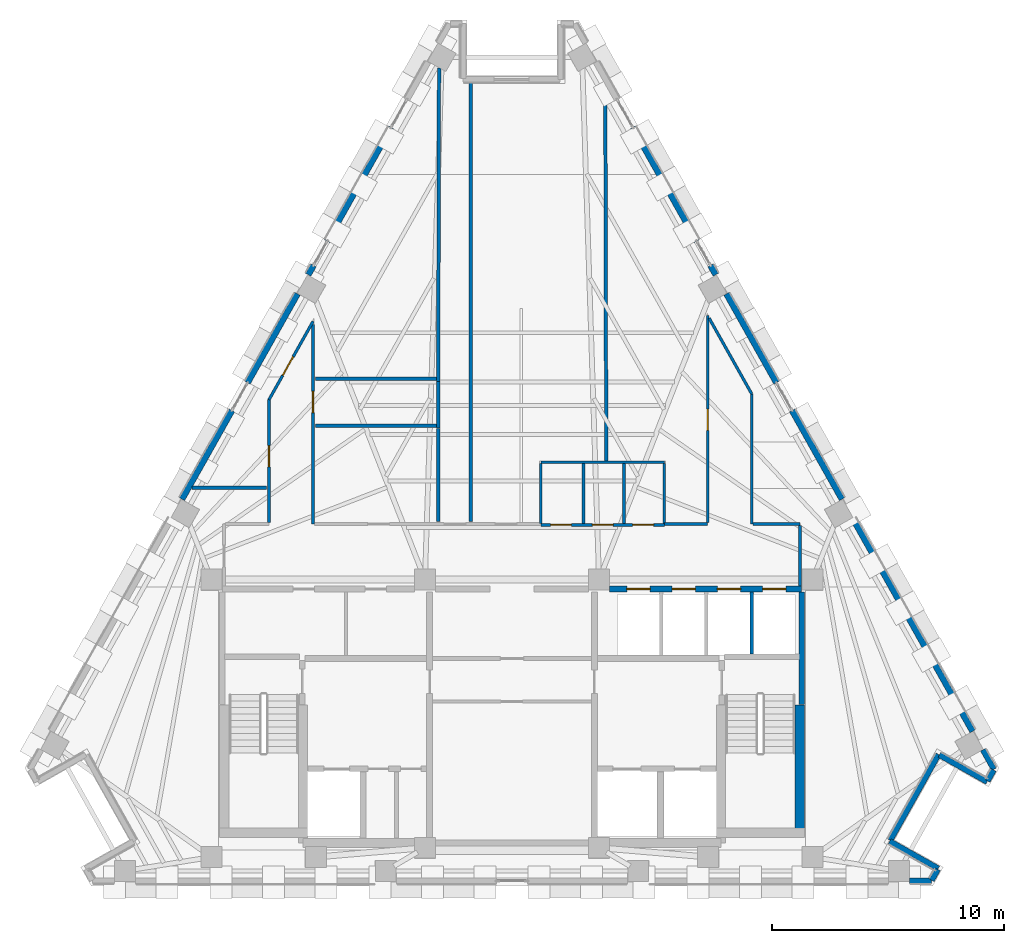
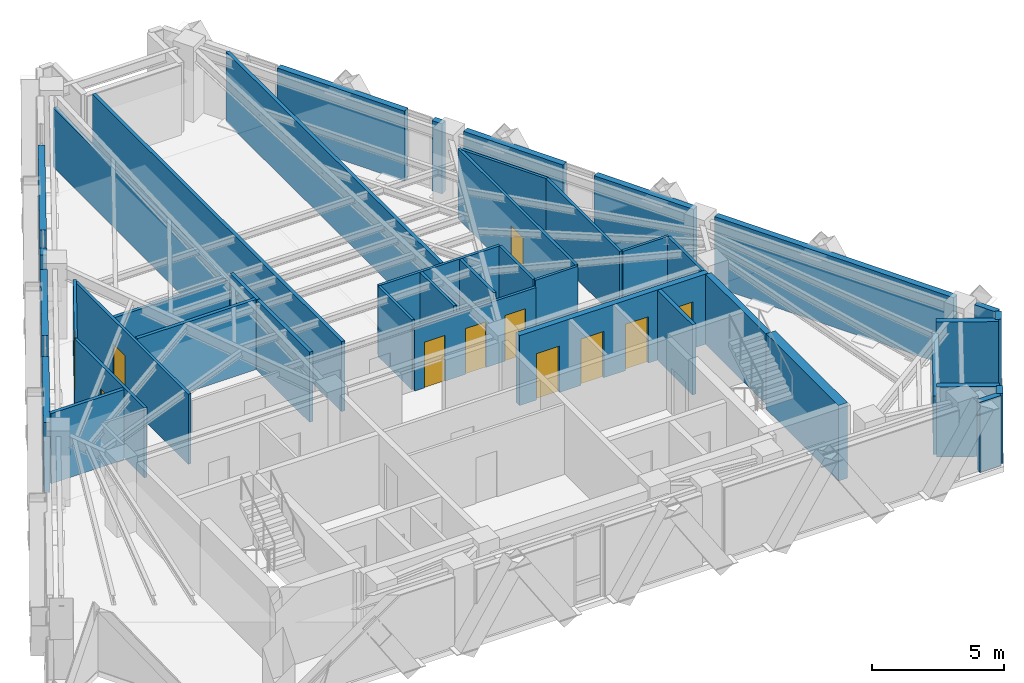
# One storey, part 8 of 12: 43 walls, 11 doors, 11 openings.
"""IFC4 building model written with IfcOpenShell, lengths in metres."""

from ifc_helpers import new_model, si_unit, direction, frame, frame_2d, origin, place, context, subcontext, project, spatial, rectangle, extrude, material, layer, layer_set, type_object, element, fill, save


model = new_model("IFC4")

# Units and contexts
model_context = context("Model", 3, precision=1e-05, world=origin(), true_north=direction((0.0, 1.0)))
body_context = subcontext(model_context, "Body", "Model", "MODEL_VIEW")
ifc_project = project(units=[si_unit("LENGTHUNIT", "METRE"), si_unit("AREAUNIT", "SQUARE_METRE"), si_unit("VOLUMEUNIT", "CUBIC_METRE"), si_unit("PLANEANGLEUNIT", "RADIAN"), si_unit("MASSUNIT", "GRAM", prefix="KILO")], contexts=[model_context])

# Site, building, storey
site_placement = place(None, origin())
site = spatial("IfcSite", under=ifc_project, at=site_placement, CompositionType="ELEMENT")
building_placement = place(site_placement, origin())
building = spatial("IfcBuilding", under=site, at=building_placement, Name="Quenlor Broadcast Tower", CompositionType="ELEMENT")
storey_placement = place(building_placement, frame((0.0, 0.0, 218.39990234375)))
storey = spatial("IfcBuildingStorey", under=building, at=storey_placement, Name="L60", CompositionType="ELEMENT", Elevation=218.39990234375)

# Walls
ifc_material_1 = material(Name="Acoustic Double Stud Gypsum Partition", Category="other")
ifc_layer_1 = layer(ifc_material_1, 0.14990234375)
ifc_layer_set_1 = layer_set([ifc_layer_1], Name="Broadcast Studio Acoustic Partition 150")
wall_type_1 = type_object("IfcWallType", Name="Broadcast Studio Acoustic Partition 150", PredefinedType="PARTITIONING", material=ifc_layer_set_1)
wall_1_placement = place(storey_placement, frame((-3.142822265625, 17.25439453125, 0.0), z_axis=(0.0, 0.0, 1.0), x_axis=(-0.002783390028, -0.999996126362, 0.0)))
element("IfcWall", 1, at=wall_1_placement, inside=storey, type_object=wall_type_1, Name="L60 Interior Wall PW-DV-01", PredefinedType="PARTITIONING", context=body_context, shape_type="SweptSolid", body=[
    extrude(rectangle(XDim=13.5078125, YDim=0.14990234375, at=frame_2d((6.75390625, 0.0))), origin(), (0.0, 0.0, 1.0), 2.721923828125),
])
wall_2_placement = place(storey_placement, frame((-3.257080078125, 3.846435546875, 0.0), z_axis=(0.0, 0.0, 1.0), x_axis=(-1.0, 0.0, 0.0)))
element("IfcWall", 2, at=wall_2_placement, inside=storey, type_object=wall_type_1, Name="L60 Interior Wall PW-DV-02", PredefinedType="PARTITIONING", context=body_context, shape_type="SweptSolid", body=[
    extrude(rectangle(XDim=5.202880859375, YDim=0.14990234375, at=frame_2d((2.6015625, 0.0))), origin(), (0.0, 0.0, 1.0), 2.94287109375),
])
wall_3_placement = place(storey_placement, frame((-1.777099609375, -2.2900390625, 0.0), z_axis=(0.0, 0.0, 1.0), x_axis=(0.0, 1.0, 0.0)))
element("IfcWall", 3, at=wall_3_placement, inside=storey, type_object=wall_type_1, Name="L60 Interior Wall PW-DV-03", PredefinedType="PARTITIONING", context=body_context, shape_type="SweptSolid", body=[
    extrude(rectangle(XDim=18.919921875, YDim=0.14990234375, at=frame_2d((9.4599609375, 0.0))), origin(), (0.0, 0.0, 1.0), 3.25),
])
wall_4_placement = place(storey_placement, frame((4.0205078125, 16.524169921875, 0.0), z_axis=(0.0, 0.0, 1.0), x_axis=(0.002426006965, -0.999997057241, 0.0)))
element("IfcWall", 4, at=wall_4_placement, inside=storey, type_object=wall_type_1, Name="L60 Interior Wall PW-DV-04", PredefinedType="PARTITIONING", context=body_context, shape_type="SweptSolid", body=[
    extrude(rectangle(XDim=16.2021484375, YDim=0.14990234375, at=frame_2d((8.10107421875, 0.0))), origin(), (0.0, 0.0, 1.0), 3.25),
])
wall_5_placement = place(storey_placement, frame((-3.179931640625, 1.72412109375, 0.0), z_axis=(0.0, 0.0, 1.0), x_axis=(0.0, 1.0, 0.0)))
element("IfcWall", 5, at=wall_5_placement, inside=storey, type_object=wall_type_1, Name="L60 Interior Wall PW-DV-05", PredefinedType="PARTITIONING", context=body_context, shape_type="SweptSolid", body=[
    extrude(rectangle(XDim=2.020263671875, YDim=0.14990234375, at=frame_2d((1.01025390625, 0.0))), origin(), (0.0, 0.0, 1.0), 3.25),
])
wall_6_placement = place(storey_placement, frame((-3.179931640625, -2.2900390625, 0.0), z_axis=(0.0, 0.0, 1.0), x_axis=(0.0, 1.0, 0.0)))
element("IfcWall", 6, at=wall_6_placement, inside=storey, type_object=wall_type_1, Name="L60 Interior Wall PW-DV-06", PredefinedType="PARTITIONING", context=body_context, shape_type="SweptSolid", body=[
    extrude(rectangle(XDim=4.01220703125, YDim=0.14990234375, at=frame_2d((2.006103515625, 0.0))), origin(), (0.0, 0.0, 1.0), 3.25),
])
wall_7_placement = place(storey_placement, frame((-3.257080078125, 1.82421875, 0.0), z_axis=(0.0, 0.0, 1.0), x_axis=(-1.0, 0.0, 0.0)))
element("IfcWall", 7, at=wall_7_placement, inside=storey, type_object=wall_type_1, Name="L60 Interior Wall PW-DV-07", PredefinedType="PARTITIONING", context=body_context, shape_type="SweptSolid", body=[
    extrude(rectangle(XDim=5.202880859375, YDim=0.14990234375, at=frame_2d((2.6015625, 0.0))), origin(), (0.0, 0.0, 1.0), 3.25),
])
wall_8_placement = place(storey_placement, frame((-10.580078125, -0.832275390625, 0.0), z_axis=(0.0, 0.0, 1.0), x_axis=(-1.0, 0.0, 0.0)))
element("IfcWall", 8, at=wall_8_placement, inside=storey, type_object=wall_type_1, Name="L60 Interior Wall PW-DV-08", PredefinedType="PARTITIONING", context=body_context, shape_type="SweptSolid", body=[
    extrude(rectangle(XDim=3.203369140625, YDim=0.14990234375, at=frame_2d((1.6015625, 0.0))), origin(), (0.0, 0.0, 1.0), 3.25),
])
ifc_material_2 = material(Name="Concrete C50/60", Category="concrete")
ifc_layer_2 = layer(ifc_material_2, 0.39990234375)
ifc_layer_set_2 = layer_set([ifc_layer_2], Name="Core Concrete C50/60 Shear Wall 400")
wall_type_2 = type_object("IfcWallType", Name="Core Concrete C50/60 Shear Wall 400", PredefinedType="SHEAR", material=ifc_layer_set_2)
wall_9_placement = place(storey_placement, frame((12.39990234375, -15.699951171875, 0.0), z_axis=(0.0, 0.0, 1.0), x_axis=(0.0, 1.0, 0.0)))
element("IfcWall", 9, at=wall_9_placement, inside=storey, type_object=wall_type_2, Name="L60 Core Shear Wall WF-E", PredefinedType="SHEAR", context=body_context, shape_type="SweptSolid", body=[
    extrude(rectangle(XDim=5.5, YDim=0.39990234375, at=frame_2d((2.75, 0.0))), origin(), (0.0, 0.0, 1.0), 3.5),
])
ifc_material_3 = material(Name="Concrete C40/50", Category="concrete")
ifc_layer_3 = layer(ifc_material_3, 0.25)
ifc_layer_set_3 = layer_set([ifc_layer_3], Name="Fire Rated Concrete C40/50 Core Wall 250")
wall_type_3 = type_object("IfcWallType", Name="Fire Rated Concrete C40/50 Core Wall 250", PredefinedType="PARTITIONING", material=ifc_layer_set_3)
wall_10_placement = place(storey_placement, frame((12.47998046875, -10.179931640625, 0.0), z_axis=(0.0, 0.0, 1.0), x_axis=(0.0, 1.0, 0.0)))
element("IfcWall", 10, at=wall_10_placement, inside=storey, type_object=wall_type_3, Name="L60 Interior Wall CW-ST2-E2", PredefinedType="PARTITIONING", context=body_context, shape_type="SweptSolid", body=[
    extrude(rectangle(XDim=4.83984375, YDim=0.25, at=frame_2d((2.419921875, 0.0))), origin(), (0.0, 0.0, 1.0), 3.25),
])

# Wall, openings, doors
wall_11_placement = place(storey_placement, frame((4.201904296875, -5.199951171875, 0.0), z_axis=(0.0, 0.0, 1.0), x_axis=(1.0, 0.0, 0.0)))
wall_11 = element("IfcWall", 11, at=wall_11_placement, inside=storey, type_object=wall_type_3, Name="L60 Interior Wall CW-N-E", PredefinedType="PARTITIONING", context=body_context, shape_type="SweptSolid", body=[
    extrude(rectangle(XDim=8.278076171875, YDim=0.25, at=frame_2d((4.13916015625, 0.0))), origin(), (0.0, 0.0, 1.0), 3.25),
])
opening_1_placement = place(wall_11_placement, frame((0.748046875, 0.0, 0.0)))
opening_1 = element("IfcOpeningElement", 12, at=opening_1_placement, cuts=wall_11, Name="Opening LD-PL-H1", PredefinedType="OPENING", context=body_context, shape_type="SweptSolid", body=[
    extrude(rectangle(XDim=1.0, YDim=2.14990234375, at=frame_2d((0.5, 1.074951171875))), frame((0.0, 0.135009765625, 0.0), z_axis=(0.0, -1.0, 0.0), x_axis=(1.0, 0.0, 0.0)), (0.0, 0.0, 1.0), 0.27001953125),
])
opening_2_placement = place(wall_11_placement, frame((2.697998046875, 0.0, 0.0)))
opening_2 = element("IfcOpeningElement", 13, at=opening_2_placement, cuts=wall_11, Name="Opening LD-PL-H2", PredefinedType="OPENING", context=body_context, shape_type="SweptSolid", body=[
    extrude(rectangle(XDim=1.0, YDim=2.14990234375, at=frame_2d((0.5, 1.074951171875))), frame((0.0, 0.135009765625, 0.0), z_axis=(0.0, -1.0, 0.0), x_axis=(1.0, 0.0, 0.0)), (0.0, 0.0, 1.0), 0.27001953125),
])
opening_3_placement = place(wall_11_placement, frame((4.64794921875, 0.0, 0.0)))
opening_3 = element("IfcOpeningElement", 14, at=opening_3_placement, cuts=wall_11, Name="Opening LD-PL-H3", PredefinedType="OPENING", context=body_context, shape_type="SweptSolid", body=[
    extrude(rectangle(XDim=1.0, YDim=2.14990234375, at=frame_2d((0.5, 1.074951171875))), frame((0.0, 0.135009765625, 0.0), z_axis=(0.0, -1.0, 0.0), x_axis=(1.0, 0.0, 0.0)), (0.0, 0.0, 1.0), 0.27001953125),
])
opening_4_placement = place(wall_11_placement, frame((6.597900390625, 0.0, 0.0)))
opening_4 = element("IfcOpeningElement", 15, at=opening_4_placement, cuts=wall_11, Name="Opening LD-PL-H4", PredefinedType="OPENING", context=body_context, shape_type="SweptSolid", body=[
    extrude(rectangle(XDim=1.0, YDim=2.14990234375, at=frame_2d((0.5, 1.074951171875))), frame((0.0, 0.135009765625, 0.0), z_axis=(0.0, -1.0, 0.0), x_axis=(1.0, 0.0, 0.0)), (0.0, 0.0, 1.0), 0.27001953125),
])
ifc_material_4 = material(Name="Brushed Stainless Steel", Category="steel")
door_type_1 = type_object("IfcDoorType", Name="Passenger Lift Sliding Landing Door 1000x2150", OperationType="NOTDEFINED", PredefinedType="DOOR", material=ifc_material_4)
door_1_placement = place(opening_1_placement, origin())
door_1 = element("IfcDoor", 16, at=door_1_placement, inside=storey, type_object=door_type_1, Name="L60 Door LD-PL-H1", OperationType="SLIDING_TO_RIGHT", OverallHeight=2.14990234375, OverallWidth=1.0, PredefinedType="DOOR", context=body_context, shape_type="SweptSolid", body=[
    extrude(rectangle(XDim=1.0, YDim=2.14990234375, at=frame_2d((0.5, 1.074951171875))), frame((0.0, 0.02490234375, 0.0), z_axis=(0.0, -1.0, 0.0), x_axis=(1.0, 0.0, 0.0)), (0.0, 0.0, 1.0), 0.050048828125),
])
fill(opening_1, door_1)
door_2_placement = place(opening_2_placement, origin())
door_2 = element("IfcDoor", 17, at=door_2_placement, inside=storey, type_object=door_type_1, Name="L60 Door LD-PL-H2", OperationType="SLIDING_TO_RIGHT", OverallHeight=2.14990234375, OverallWidth=1.0, PredefinedType="DOOR", context=body_context, shape_type="SweptSolid", body=[
    extrude(rectangle(XDim=1.0, YDim=2.14990234375, at=frame_2d((0.5, 1.074951171875))), frame((0.0, 0.02490234375, 0.0), z_axis=(0.0, -1.0, 0.0), x_axis=(1.0, 0.0, 0.0)), (0.0, 0.0, 1.0), 0.050048828125),
])
fill(opening_2, door_2)
door_3_placement = place(opening_3_placement, origin())
door_3 = element("IfcDoor", 18, at=door_3_placement, inside=storey, type_object=door_type_1, Name="L60 Door LD-PL-H3", OperationType="SLIDING_TO_RIGHT", OverallHeight=2.14990234375, OverallWidth=1.0, PredefinedType="DOOR", context=body_context, shape_type="SweptSolid", body=[
    extrude(rectangle(XDim=1.0, YDim=2.14990234375, at=frame_2d((0.5, 1.074951171875))), frame((0.0, 0.02490234375, 0.0), z_axis=(0.0, -1.0, 0.0), x_axis=(1.0, 0.0, 0.0)), (0.0, 0.0, 1.0), 0.050048828125),
])
fill(opening_3, door_3)
door_4_placement = place(opening_4_placement, origin())
door_4 = element("IfcDoor", 19, at=door_4_placement, inside=storey, type_object=door_type_1, Name="L60 Door LD-PL-H4", OperationType="SLIDING_TO_RIGHT", OverallHeight=2.14990234375, OverallWidth=1.0, PredefinedType="DOOR", context=body_context, shape_type="SweptSolid", body=[
    extrude(rectangle(XDim=1.0, YDim=2.14990234375, at=frame_2d((0.5, 1.074951171875))), frame((0.0, 0.02490234375, 0.0), z_axis=(0.0, -1.0, 0.0), x_axis=(1.0, 0.0, 0.0)), (0.0, 0.0, 1.0), 0.050048828125),
])
fill(opening_4, door_4)

# Wall
ifc_material_5 = material(Name="Gypsum Fireboard Partition", Category="other")
ifc_layer_4 = layer(ifc_material_5, 0.159912109375)
ifc_layer_set_4 = layer_set([ifc_layer_4], Name="Fire Rated Shaft and Corridor Partition 160")
wall_type_4 = type_object("IfcWallType", Name="Fire Rated Shaft and Corridor Partition 160", PredefinedType="PARTITIONING", material=ifc_layer_set_4)
wall_12_placement = place(storey_placement, frame((10.324951171875, -7.992919921875, 0.0), z_axis=(0.0, 0.0, 1.0), x_axis=(0.0, 1.0, 0.0)))
element("IfcWall", 20, at=wall_12_placement, inside=storey, type_object=wall_type_4, Name="L60 Interior Wall CW-PLH-D3", PredefinedType="PARTITIONING", context=body_context, shape_type="SweptSolid", body=[
    extrude(rectangle(XDim=2.65283203125, YDim=0.159912109375, at=frame_2d((1.326416015625, 0.0))), origin(), (0.0, 0.0, 1.0), 3.25),
])

# Wall, openings, doors
ifc_material_6 = material(Name="Gypsum Plasterboard Partition", Category="other")
ifc_layer_5 = layer(ifc_material_6, 0.1201171875)
ifc_layer_set_5 = layer_set([ifc_layer_5], Name="Standard Office Partition 120")
wall_type_5 = type_object("IfcWallType", Name="Standard Office Partition 120", PredefinedType="PARTITIONING", material=ifc_layer_set_5)
wall_13_placement = place(storey_placement, frame((1.239990234375, -2.43994140625, 0.0), z_axis=(0.0, 0.0, 1.0), x_axis=(1.0, 0.0, 0.0)))
wall_13 = element("IfcWall", 21, at=wall_13_placement, inside=storey, type_object=wall_type_5, Name="L60 Interior Wall PW-WC-S", PredefinedType="PARTITIONING", context=body_context, shape_type="SweptSolid", body=[
    extrude(rectangle(XDim=5.320068359375, YDim=0.1201171875, at=frame_2d((2.66015625, 0.0))), origin(), (0.0, 0.0, 1.0), 2.94287109375),
])
opening_5_placement = place(wall_13_placement, frame((0.419921875, 0.0, 0.0)))
opening_5 = element("IfcOpeningElement", 22, at=opening_5_placement, cuts=wall_13, Name="Opening ID-3", PredefinedType="OPENING", context=body_context, shape_type="SweptSolid", body=[
    extrude(rectangle(XDim=0.89990234375, YDim=2.1201171875, at=frame_2d((0.449951171875, 1.06005859375))), frame((0.0, 0.070068359375, 0.0), z_axis=(0.0, -1.0, 0.0), x_axis=(1.0, 0.0, 0.0)), (0.0, 0.0, 1.0), 0.14013671875),
])
opening_6_placement = place(wall_13_placement, frame((2.219970703125, 0.0, 0.0)))
opening_6 = element("IfcOpeningElement", 23, at=opening_6_placement, cuts=wall_13, Name="Opening ID-3", PredefinedType="OPENING", context=body_context, shape_type="SweptSolid", body=[
    extrude(rectangle(XDim=0.89990234375, YDim=2.1201171875, at=frame_2d((0.449951171875, 1.06005859375))), frame((0.0, 0.070068359375, 0.0), z_axis=(0.0, -1.0, 0.0), x_axis=(1.0, 0.0, 0.0)), (0.0, 0.0, 1.0), 0.14013671875),
])
opening_7_placement = place(wall_13_placement, frame((3.9599609375, 0.0, 0.0)))
opening_7 = element("IfcOpeningElement", 24, at=opening_7_placement, cuts=wall_13, Name="Opening ID-3", PredefinedType="OPENING", context=body_context, shape_type="SweptSolid", body=[
    extrude(rectangle(XDim=0.89990234375, YDim=2.1201171875, at=frame_2d((0.449951171875, 1.06005859375))), frame((0.0, 0.070068359375, 0.0), z_axis=(0.0, -1.0, 0.0), x_axis=(1.0, 0.0, 0.0)), (0.0, 0.0, 1.0), 0.14013671875),
])
ifc_material_7 = material(Name="Moisture Resistant Timber Oak", Category="wood")
door_type_2 = type_object("IfcDoorType", Name="Washroom Privacy Door 900x2120", OperationType="NOTDEFINED", PredefinedType="DOOR", material=ifc_material_7)
door_5_placement = place(opening_5_placement, origin())
door_5 = element("IfcDoor", 25, at=door_5_placement, inside=storey, type_object=door_type_2, Name="L60 Door DR-AWC", OperationType="SINGLE_SWING_LEFT", OverallHeight=2.1201171875, OverallWidth=0.89990234375, PredefinedType="DOOR", context=body_context, shape_type="SweptSolid", body=[
    extrude(rectangle(XDim=0.89990234375, YDim=2.1201171875, at=frame_2d((0.449951171875, 1.06005859375))), frame((0.0, 0.02490234375, 0.0), z_axis=(0.0, -1.0, 0.0), x_axis=(1.0, 0.0, 0.0)), (0.0, 0.0, 1.0), 0.050048828125),
])
fill(opening_5, door_5)
door_6_placement = place(opening_6_placement, origin())
door_6 = element("IfcDoor", 26, at=door_6_placement, inside=storey, type_object=door_type_2, Name="L60 Door DR-MWC", OperationType="SINGLE_SWING_LEFT", OverallHeight=2.1201171875, OverallWidth=0.89990234375, PredefinedType="DOOR", context=body_context, shape_type="SweptSolid", body=[
    extrude(rectangle(XDim=0.89990234375, YDim=2.1201171875, at=frame_2d((0.449951171875, 1.06005859375))), frame((0.0, 0.02490234375, 0.0), z_axis=(0.0, -1.0, 0.0), x_axis=(1.0, 0.0, 0.0)), (0.0, 0.0, 1.0), 0.050048828125),
])
fill(opening_6, door_6)
door_7_placement = place(opening_7_placement, origin())
door_7 = element("IfcDoor", 27, at=door_7_placement, inside=storey, type_object=door_type_2, Name="L60 Door DR-FWC", OperationType="SINGLE_SWING_RIGHT", OverallHeight=2.1201171875, OverallWidth=0.89990234375, PredefinedType="DOOR", context=body_context, shape_type="SweptSolid", body=[
    extrude(rectangle(XDim=0.89990234375, YDim=2.1201171875, at=frame_2d((0.449951171875, 1.06005859375))), frame((0.0, 0.02490234375, 0.0), z_axis=(0.0, -1.0, 0.0), x_axis=(1.0, 0.0, 0.0)), (0.0, 0.0, 1.0), 0.050048828125),
])
fill(opening_7, door_7)

# Walls
wall_14_placement = place(storey_placement, frame((1.239990234375, 0.260009765625, 0.0), z_axis=(0.0, 0.0, 1.0), x_axis=(1.0, 0.0, 0.0)))
element("IfcWall", 28, at=wall_14_placement, inside=storey, type_object=wall_type_5, Name="L60 Interior Wall PW-WC-N", PredefinedType="PARTITIONING", context=body_context, shape_type="SweptSolid", body=[
    extrude(rectangle(XDim=5.320068359375, YDim=0.1201171875, at=frame_2d((2.66015625, 0.0))), origin(), (0.0, 0.0, 1.0), 3.25),
])
for number, where, z_axis, x_axis, name in (
    (29, (1.239990234375, -2.3779296875, 0.0), (0.0, 0.0, 1.0), (0.0, 1.0, 0.0), "L60 Interior Wall PW-WC-W"),
    (30, (3.080078125, -2.3779296875, 0.0), (0.0, 0.0, 1.0), (0.0, 1.0, 0.0), "L60 Interior Wall PW-WC-M1"),
    (31, (4.820068359375, -2.3779296875, 0.0), (0.0, 0.0, 1.0), (0.0, 1.0, 0.0), "L60 Interior Wall PW-WC-M2"),
    (32, (6.56005859375, -2.3779296875, 0.0), (0.0, 0.0, 1.0), (0.0, 1.0, 0.0), "L60 Interior Wall PW-WC-E"),
):
    element("IfcWall", number, at=place(storey_placement, frame(where, z_axis=z_axis, x_axis=x_axis)), inside=storey, type_object=wall_type_5, Name=name, PredefinedType="PARTITIONING", context=body_context, shape_type="SweptSolid", body=[
        extrude(rectangle(XDim=2.575927734375, YDim=0.1201171875, at=frame_2d((1.2880859375, 0.0))), origin(), (0.0, 0.0, 1.0), 3.25),
    ])

# Wall, opening, door
wall_15_placement = place(storey_placement, frame((-10.469970703125, -2.337890625, 0.0), z_axis=(0.0, 0.0, 1.0), x_axis=(0.0, 1.0, 0.0)))
wall_15 = element("IfcWall", 33, at=wall_15_placement, inside=storey, type_object=wall_type_5, Name="L60 Interior Wall PW-CR-03", PredefinedType="PARTITIONING", context=body_context, shape_type="SweptSolid", body=[
    extrude(rectangle(XDim=5.289306640625, YDim=0.1201171875, at=frame_2d((2.64453125, 0.0))), origin(), (0.0, 0.0, 1.0), 3.25),
])
opening_8_placement = place(wall_15_placement, frame((2.39697265625, 0.0, 0.0)))
opening_8 = element("IfcOpeningElement", 34, at=opening_8_placement, cuts=wall_15, Name="Opening ID-1", PredefinedType="OPENING", context=body_context, shape_type="SweptSolid", body=[
    extrude(rectangle(XDim=0.919921875, YDim=2.1201171875, at=frame_2d((0.4599609375, 1.06005859375))), frame((0.0, 0.070068359375, 0.0), z_axis=(0.0, -1.0, 0.0), x_axis=(1.0, 0.0, 0.0)), (0.0, 0.0, 1.0), 0.14013671875),
])
ifc_material_8 = material(Name="Solid Core Timber Oak", Category="wood")
door_type_3 = type_object("IfcDoorType", Name="Single Leaf Timber Office Door 920x2120", OperationType="NOTDEFINED", PredefinedType="DOOR", material=ifc_material_8)
door_8_placement = place(opening_8_placement, origin())
door_8 = element("IfcDoor", 35, at=door_8_placement, inside=storey, type_object=door_type_3, Name="L60 Door DR-RM06", OperationType="SINGLE_SWING_LEFT", OverallHeight=2.1201171875, OverallWidth=0.919921875, PredefinedType="DOOR", context=body_context, shape_type="SweptSolid", body=[
    extrude(rectangle(XDim=0.919921875, YDim=2.1201171875, at=frame_2d((0.4599609375, 1.06005859375))), frame((0.0, 0.02490234375, 0.0), z_axis=(0.0, -1.0, 0.0), x_axis=(1.0, 0.0, 0.0)), (0.0, 0.0, 1.0), 0.050048828125),
])
fill(opening_8, door_8)

wall_16_placement = place(storey_placement, frame((-10.468994140625, 2.953369140625, 0.0), z_axis=(0.0, 0.0, 1.0), x_axis=(0.490276203052, 0.871567120032, 0.0)))
wall_16 = element("IfcWall", 36, at=wall_16_placement, inside=storey, type_object=wall_type_5, Name="L60 Interior Wall PW-CR-04", PredefinedType="PARTITIONING", context=body_context, shape_type="SweptSolid", body=[
    extrude(rectangle(XDim=3.873291015625, YDim=0.1201171875, at=frame_2d((1.9365234375, 0.0))), origin(), (0.0, 0.0, 1.0), 3.25),
])
opening_9_placement = place(wall_16_placement, frame((1.202880859375, 0.0, 0.0)))
opening_9 = element("IfcOpeningElement", 37, at=opening_9_placement, cuts=wall_16, Name="Opening ID-1", PredefinedType="OPENING", context=body_context, shape_type="SweptSolid", body=[
    extrude(rectangle(XDim=0.919921875, YDim=2.1201171875, at=frame_2d((0.4599609375, 1.06005859375))), frame((0.0, 0.070068359375, 0.0), z_axis=(0.0, -1.0, 0.0), x_axis=(1.0, 0.0, 0.0)), (0.0, 0.0, 1.0), 0.14013671875),
])
door_9_placement = place(opening_9_placement, origin())
door_9 = element("IfcDoor", 38, at=door_9_placement, inside=storey, type_object=door_type_3, Name="L60 Door DR-RM01", OperationType="SINGLE_SWING_RIGHT", OverallHeight=2.1201171875, OverallWidth=0.919921875, PredefinedType="DOOR", context=body_context, shape_type="SweptSolid", body=[
    extrude(rectangle(XDim=0.919921875, YDim=2.1201171875, at=frame_2d((0.4599609375, 1.06005859375))), frame((0.0, 0.02490234375, 0.0), z_axis=(0.0, -1.0, 0.0), x_axis=(1.0, 0.0, 0.0)), (0.0, 0.0, 1.0), 0.050048828125),
])
fill(opening_9, door_9)

wall_17_placement = place(storey_placement, frame((-8.570068359375, 6.20263671875, 0.0), z_axis=(0.0, 0.0, 1.0), x_axis=(0.0, -1.0, 0.0)))
wall_17 = element("IfcWall", 39, at=wall_17_placement, inside=storey, type_object=wall_type_5, Name="L60 Interior Wall PW-CR-05", PredefinedType="PARTITIONING", context=body_context, shape_type="SweptSolid", body=[
    extrude(rectangle(XDim=8.6025390625, YDim=0.1201171875, at=frame_2d((4.30126953125, 0.0))), origin(), (0.0, 0.0, 1.0), 3.25),
])
opening_10_placement = place(wall_17_placement, frame((2.886962890625, 0.0, 0.0)))
opening_10 = element("IfcOpeningElement", 40, at=opening_10_placement, cuts=wall_17, Name="Opening ID-1", PredefinedType="OPENING", context=body_context, shape_type="SweptSolid", body=[
    extrude(rectangle(XDim=0.919921875, YDim=2.1201171875, at=frame_2d((0.4599609375, 1.06005859375))), frame((0.0, 0.070068359375, 0.0), z_axis=(0.0, -1.0, 0.0), x_axis=(1.0, 0.0, 0.0)), (0.0, 0.0, 1.0), 0.14013671875),
])
door_10_placement = place(opening_10_placement, origin())
door_10 = element("IfcDoor", 41, at=door_10_placement, inside=storey, type_object=door_type_3, Name="L60 Door DR-RM05", OperationType="SINGLE_SWING_RIGHT", OverallHeight=2.1201171875, OverallWidth=0.919921875, PredefinedType="DOOR", context=body_context, shape_type="SweptSolid", body=[
    extrude(rectangle(XDim=0.919921875, YDim=2.1201171875, at=frame_2d((0.4599609375, 1.06005859375))), frame((0.0, 0.02490234375, 0.0), z_axis=(0.0, -1.0, 0.0), x_axis=(1.0, 0.0, 0.0)), (0.0, 0.0, 1.0), 0.050048828125),
])
fill(opening_10, door_10)

# Wall
wall_18_placement = place(storey_placement, frame((6.56201171875, -2.39990234375, 0.0), z_axis=(0.0, 0.0, 1.0), x_axis=(1.0, 0.0, 0.0)))
element("IfcWall", 42, at=wall_18_placement, inside=storey, type_object=wall_type_5, Name="L60 Interior Wall PW-CR-06S2", PredefinedType="PARTITIONING", context=body_context, shape_type="SweptSolid", body=[
    extrude(rectangle(XDim=1.867919921875, YDim=0.1201171875, at=frame_2d((0.93408203125, 0.0))), origin(), (0.0, 0.0, 1.0), 3.25),
])

# Wall, opening, door
wall_19_placement = place(storey_placement, frame((8.429931640625, -2.337890625, 0.0), z_axis=(0.0, 0.0, 1.0), x_axis=(0.0, 1.0, 0.0)))
wall_19 = element("IfcWall", 43, at=wall_19_placement, inside=storey, type_object=wall_type_5, Name="L60 Interior Wall PW-CR-07", PredefinedType="PARTITIONING", context=body_context, shape_type="SweptSolid", body=[
    extrude(rectangle(XDim=8.916015625, YDim=0.1201171875, at=frame_2d((4.4580078125, 0.0))), origin(), (0.0, 0.0, 1.0), 3.25),
])
opening_11_placement = place(wall_19_placement, frame((3.967041015625, 0.0, 0.0)))
opening_11 = element("IfcOpeningElement", 44, at=opening_11_placement, cuts=wall_19, Name="Opening ID-1", PredefinedType="OPENING", context=body_context, shape_type="SweptSolid", body=[
    extrude(rectangle(XDim=0.919921875, YDim=2.1201171875, at=frame_2d((0.4599609375, 1.06005859375))), frame((0.0, 0.070068359375, 0.0), z_axis=(0.0, -1.0, 0.0), x_axis=(1.0, 0.0, 0.0)), (0.0, 0.0, 1.0), 0.14013671875),
])
door_11_placement = place(opening_11_placement, origin())
door_11 = element("IfcDoor", 45, at=door_11_placement, inside=storey, type_object=door_type_3, Name="L60 Door DR-RM04", OperationType="SINGLE_SWING_LEFT", OverallHeight=2.1201171875, OverallWidth=0.919921875, PredefinedType="DOOR", context=body_context, shape_type="SweptSolid", body=[
    extrude(rectangle(XDim=0.919921875, YDim=2.1201171875, at=frame_2d((0.4599609375, 1.06005859375))), frame((0.0, 0.02490234375, 0.0), z_axis=(0.0, -1.0, 0.0), x_axis=(1.0, 0.0, 0.0)), (0.0, 0.0, 1.0), 0.050048828125),
])
fill(opening_11, door_11)

# Walls
wall_20_placement = place(storey_placement, frame((8.491943359375, 6.468017578125, 0.0), z_axis=(0.0, 0.0, 1.0), x_axis=(0.49025814807, -0.871577276121, 0.0)))
element("IfcWall", 46, at=wall_20_placement, inside=storey, type_object=wall_type_5, Name="L60 Interior Wall PW-CR-08", PredefinedType="PARTITIONING", context=body_context, shape_type="SweptSolid", body=[
    extrude(rectangle(XDim=3.749267578125, YDim=0.1201171875, at=frame_2d((1.87451171875, 0.0))), origin(), (0.0, 0.0, 1.0), 3.25),
])
wall_21_placement = place(storey_placement, frame((10.330078125, 3.197998046875, 0.0), z_axis=(0.0, 0.0, 1.0), x_axis=(0.0, -1.0, 0.0)))
element("IfcWall", 47, at=wall_21_placement, inside=storey, type_object=wall_type_5, Name="L60 Interior Wall PW-CR-09", PredefinedType="PARTITIONING", context=body_context, shape_type="SweptSolid", body=[
    extrude(rectangle(XDim=5.597900390625, YDim=0.1201171875, at=frame_2d((2.798828125, 0.0))), origin(), (0.0, 0.0, 1.0), 3.25),
])
wall_22_placement = place(storey_placement, frame((10.39208984375, -2.39990234375, 0.0), z_axis=(0.0, 0.0, 1.0), x_axis=(1.0, 0.0, 0.0)))
element("IfcWall", 48, at=wall_22_placement, inside=storey, type_object=wall_type_5, Name="L60 Interior Wall PW-CR-10", PredefinedType="PARTITIONING", context=body_context, shape_type="SweptSolid", body=[
    extrude(rectangle(XDim=2.017822265625, YDim=0.1201171875, at=frame_2d((1.0087890625, 0.0))), origin(), (0.0, 0.0, 1.0), 3.25),
])
wall_23_placement = place(storey_placement, frame((12.409912109375, -2.4619140625, 0.0), z_axis=(0.0, 0.0, 1.0), x_axis=(0.0, -1.0, 0.0)))
element("IfcWall", 49, at=wall_23_placement, inside=storey, type_object=wall_type_5, Name="L60 Interior Wall PW-CR-11", PredefinedType="PARTITIONING", context=body_context, shape_type="SweptSolid", body=[
    extrude(rectangle(XDim=2.611083984375, YDim=0.1201171875, at=frame_2d((1.3056640625, 0.0))), origin(), (0.0, 0.0, 1.0), 3.25),
])
ifc_material_9 = material(Name="Precast concrete C40/50", Category="concrete")
ifc_layer_6 = layer(ifc_material_9, 0.239990234375)
ifc_layer_set_6 = layer_set([ifc_layer_6], Name="Terrace Threshold Precast Concrete C40/50 Wall 240")
wall_type_6 = type_object("IfcWallType", Name="Terrace Threshold Precast Concrete C40/50 Wall 240", PredefinedType="STANDARD", material=ifc_layer_set_6)
wall_24_placement = place(storey_placement, frame((18.06591796875, -17.77490234375, 0.0), z_axis=(0.0, 0.0, 1.0), x_axis=(-1.0, 0.0, 0.0)))
element("IfcWall", 50, at=wall_24_placement, inside=storey, type_object=wall_type_6, Name="L60 Exterior Wall L60-SHD-SS0", PredefinedType="STANDARD", context=body_context, shape_type="SweptSolid", body=[
    extrude(rectangle(XDim=0.93505859375, YDim=0.239990234375, at=frame_2d((0.467529296875, 0.0))), origin(), (0.0, 0.0, 1.0), 3.25),
])
wall_25_placement = place(storey_placement, frame((20.289794921875, -12.1298828125, 0.0), z_axis=(0.0, 0.0, 1.0), x_axis=(0.490345412687, -0.87152818443, 0.0)))
element("IfcWall", 51, at=wall_25_placement, inside=storey, type_object=wall_type_6, Name="L60 Exterior Wall L60-SHD-NES1", PredefinedType="STANDARD", context=body_context, shape_type="SweptSolid", body=[
    extrude(rectangle(XDim=0.9638671875, YDim=0.239990234375, at=frame_2d((0.48193359375, 0.0))), origin(), (0.0, 0.0, 1.0), 3.25),
])
wall_26_placement = place(storey_placement, frame((18.365966796875, -17.246826171875, 0.0), z_axis=(0.0, 0.0, 1.0), x_axis=(-0.871597270235, 0.490222600988, 0.0)))
element("IfcWall", 52, at=wall_26_placement, inside=storey, type_object=wall_type_6, Name="L60 Exterior Wall L60-CNR-01", PredefinedType="STANDARD", context=body_context, shape_type="SweptSolid", body=[
    extrude(rectangle(XDim=2.39990234375, YDim=0.239990234375, at=frame_2d((1.199951171875, 0.0))), origin(), (0.0, 0.0, 1.0), 3.25),
])
wall_27_placement = place(storey_placement, frame((16.293701171875, -16.035400390625, 0.0), z_axis=(0.0, 0.0, 1.0), x_axis=(0.49027487746, 0.871567865706, 0.0)))
element("IfcWall", 53, at=wall_27_placement, inside=storey, type_object=wall_type_6, Name="L60 Exterior Wall L60-CNR-02", PredefinedType="STANDARD", context=body_context, shape_type="SweptSolid", body=[
    extrude(rectangle(XDim=4.249755859375, YDim=0.239990234375, at=frame_2d((2.125, 0.0))), origin(), (0.0, 0.0, 1.0), 2.721923828125),
])
wall_28_placement = place(storey_placement, frame((18.412109375, -12.351318359375, 0.0), z_axis=(0.0, 0.0, 1.0), x_axis=(0.871578299909, -0.490256327984, 0.0)))
element("IfcWall", 54, at=wall_28_placement, inside=storey, type_object=wall_type_6, Name="L60 Exterior Wall L60-CNR-03", PredefinedType="STANDARD", context=body_context, shape_type="SweptSolid", body=[
    extrude(rectangle(XDim=2.35986328125, YDim=0.239990234375, at=frame_2d((1.179931640625, 0.0))), origin(), (0.0, 0.0, 1.0), 3.25),
])
wall_29_placement = place(storey_placement, frame((20.48876953125, -13.473388671875, 0.0), z_axis=(0.0, 0.0, 1.0), x_axis=(0.490133374867, 0.87164744871, 0.0)))
element("IfcWall", 55, at=wall_29_placement, inside=storey, type_object=wall_type_6, Name="L60 Exterior Wall L60-CNR-04", PredefinedType="STANDARD", context=body_context, shape_type="SweptSolid", body=[
    extrude(rectangle(XDim=0.5439453125, YDim=0.239990234375, at=frame_2d((0.27197265625, 0.0))), origin(), (0.0, 0.0, 1.0), 3.25),
])
wall_30_placement = place(storey_placement, frame((18.081298828125, -17.752685546875, 0.0), z_axis=(0.0, 0.0, 1.0), x_axis=(0.490582915772, 0.871394516136, 0.0)))
element("IfcWall", 56, at=wall_30_placement, inside=storey, type_object=wall_type_6, Name="L60 Exterior Wall L60-CNR-18", PredefinedType="STANDARD", context=body_context, shape_type="SweptSolid", body=[
    extrude(rectangle(XDim=0.54052734375, YDim=0.239990234375, at=frame_2d((0.270263671875, 0.0))), origin(), (0.0, 0.0, 1.0), 3.25),
])
ifc_material_10 = material(Name="Precast concrete C40/50", Category="concrete")
ifc_layer_7 = layer(ifc_material_10, 0.260009765625)
ifc_layer_set_7 = layer_set([ifc_layer_7], Name="Terracotta Precast Concrete C40/50 Upper Wall 260")
wall_type_7 = type_object("IfcWallType", Name="Terracotta Precast Concrete C40/50 Upper Wall 260", PredefinedType="STANDARD", material=ifc_layer_set_7)
wall_31_placement = place(storey_placement, frame((5.2080078125, 14.682373046875, 0.0), z_axis=(0.0, 0.0, 1.0), x_axis=(0.490240608828, -0.871587141631, 0.0)))
element("IfcWall", 57, at=wall_31_placement, inside=storey, type_object=wall_type_7, Name="L60 Exterior Wall L60-NEA-SP2", PredefinedType="STANDARD", context=body_context, shape_type="SweptSolid", body=[
    extrude(rectangle(XDim=5.618408203125, YDim=0.260009765625, at=frame_2d((2.80908203125, 0.0))), origin(), (0.0, 0.0, 1.0), 3.25),
])
wall_32_placement = place(storey_placement, frame((8.551513671875, 8.73828125, 0.0), z_axis=(0.0, 0.0, 1.0), x_axis=(0.490412424957, -0.871490478116, 0.0)))
element("IfcWall", 58, at=wall_32_placement, inside=storey, type_object=wall_type_7, Name="L60 Exterior Wall L60-NEA-SP3", PredefinedType="STANDARD", context=body_context, shape_type="SweptSolid", body=[
    extrude(rectangle(XDim=0.4599609375, YDim=0.260009765625, at=frame_2d((0.22998046875, 0.0))), origin(), (0.0, 0.0, 1.0), 3.25),
])
wall_33_placement = place(storey_placement, frame((14.6708984375, -2.140380859375, 0.0), z_axis=(0.0, 0.0, 1.0), x_axis=(0.490246958575, -0.871583570066, 0.0)))
element("IfcWall", 59, at=wall_33_placement, inside=storey, type_object=wall_type_7, Name="L60 Exterior Wall L60-EW-NEC", PredefinedType="STANDARD", context=body_context, shape_type="SweptSolid", body=[
    extrude(rectangle(XDim=10.551513671875, YDim=0.260009765625, at=frame_2d((5.27587890625, 0.0))), origin(), (0.0, 0.0, 1.0), 3.25),
])
wall_34_placement = place(storey_placement, frame((9.240478515625, 7.513671875, 0.0), z_axis=(0.0, 0.0, 1.0), x_axis=(0.490237464814, -0.871588910033, 0.0)))
element("IfcWall", 60, at=wall_34_placement, inside=storey, type_object=wall_type_7, Name="L60 Exterior Wall L60-NE-SP1", PredefinedType="STANDARD", context=body_context, shape_type="SweptSolid", body=[
    extrude(rectangle(XDim=4.387939453125, YDim=0.260009765625, at=frame_2d((2.19384765625, 0.0))), origin(), (0.0, 0.0, 1.0), 3.25),
])
wall_35_placement = place(storey_placement, frame((12.066162109375, 2.489990234375, 0.0), z_axis=(0.0, 0.0, 1.0), x_axis=(0.490261239633, -0.871575537125, 0.0)))
element("IfcWall", 61, at=wall_35_placement, inside=storey, type_object=wall_type_7, Name="L60 Exterior Wall L60-NE-SP2", PredefinedType="STANDARD", context=body_context, shape_type="SweptSolid", body=[
    extrude(rectangle(XDim=4.3876953125, YDim=0.260009765625, at=frame_2d((2.19384765625, 0.0))), origin(), (0.0, 0.0, 1.0), 3.25),
])
wall_36_placement = place(storey_placement, frame((-8.777099609375, 8.33740234375, 0.0), z_axis=(0.0, 0.0, 1.0), x_axis=(0.490412424957, 0.871490478116, 0.0)))
element("IfcWall", 62, at=wall_36_placement, inside=storey, type_object=wall_type_7, Name="L60 Exterior Wall L60-NWC-SP1", PredefinedType="STANDARD", context=body_context, shape_type="SweptSolid", body=[
    extrude(rectangle(XDim=0.4599609375, YDim=0.260009765625, at=frame_2d((0.22998046875, 0.0))), origin(), (0.0, 0.0, 1.0), 3.25),
])
wall_37_placement = place(storey_placement, frame((-7.96240234375, 9.785400390625, 0.0), z_axis=(0.0, 0.0, 1.0), x_axis=(0.490240608828, 0.871587141631, 0.0)))
element("IfcWall", 63, at=wall_37_placement, inside=storey, type_object=wall_type_7, Name="L60 Exterior Wall L60-NWC-SP2", PredefinedType="STANDARD", context=body_context, shape_type="SweptSolid", body=[
    extrude(rectangle(XDim=5.618408203125, YDim=0.260009765625, at=frame_2d((2.80908203125, 0.0))), origin(), (0.0, 0.0, 1.0), 3.25),
])
wall_38_placement = place(storey_placement, frame((-14.21728515625, -1.334228515625, 0.0), z_axis=(0.0, 0.0, 1.0), x_axis=(0.490261239633, 0.871575537125, 0.0)))
element("IfcWall", 64, at=wall_38_placement, inside=storey, type_object=wall_type_7, Name="L60 Exterior Wall L60-NW-SP1", PredefinedType="STANDARD", context=body_context, shape_type="SweptSolid", body=[
    extrude(rectangle(XDim=4.3876953125, YDim=0.260009765625, at=frame_2d((2.19384765625, 0.0))), origin(), (0.0, 0.0, 1.0), 3.25),
])
wall_39_placement = place(storey_placement, frame((-11.3916015625, 3.689208984375, 0.0), z_axis=(0.0, 0.0, 1.0), x_axis=(0.490237464814, 0.871588910033, 0.0)))
element("IfcWall", 65, at=wall_39_placement, inside=storey, type_object=wall_type_7, Name="L60 Exterior Wall L60-NW-SP2", PredefinedType="STANDARD", context=body_context, shape_type="SweptSolid", body=[
    extrude(rectangle(XDim=4.387939453125, YDim=0.260009765625, at=frame_2d((2.19384765625, 0.0))), origin(), (0.0, 0.0, 1.0), 3.25),
])

save(model, "model.ifc")
